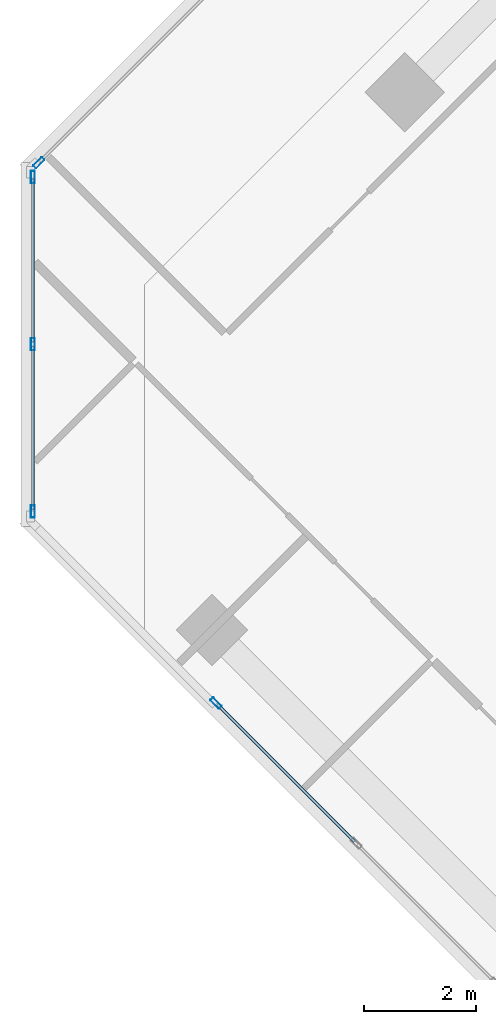
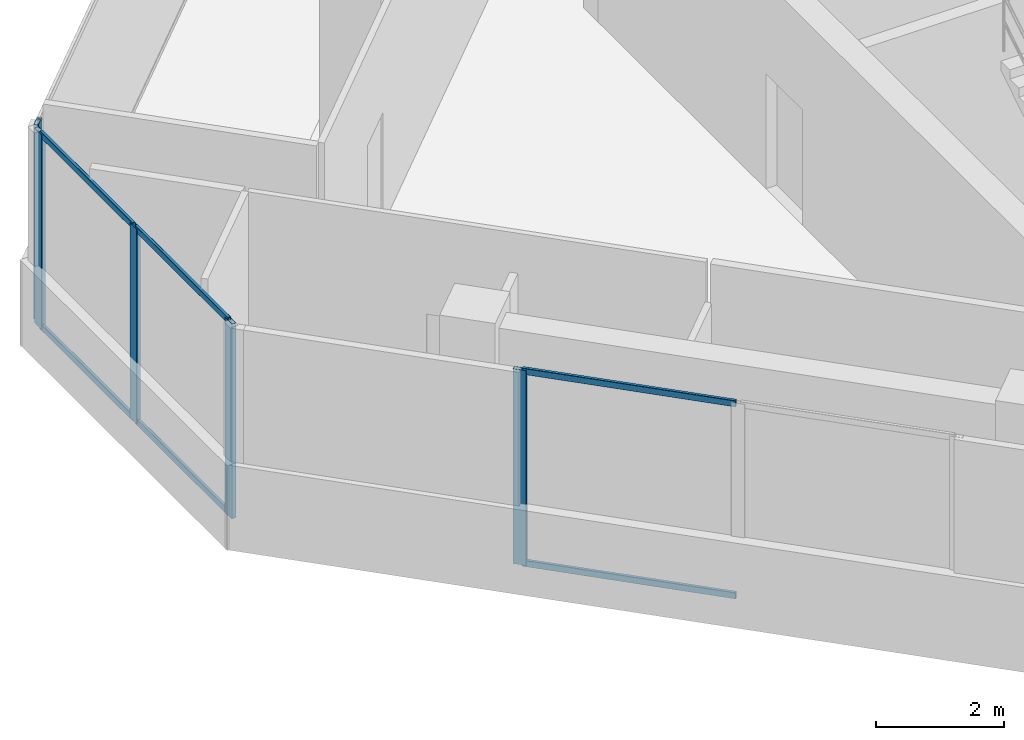
# One storey, part 4 of 18: 11 members, 3 elements without a shape of their own.
"""IFC4 building model written with IfcOpenShell, lengths in metres."""

from ifc_helpers import new_model, si_unit, direction, frame, origin, origin_2d, place, context, subcontext, project, spatial, hollow_rectangle, extrude, source, transform, mapped, material, material_profile, profile_set, type_object, element, aggregate, save


model = new_model("IFC4")

# Units and contexts
model_context = context("Model", 3, precision=1e-05, world=origin(), true_north=direction((0.0, 1.0)))
body_context = subcontext(model_context, "Body", "Model", "MODEL_VIEW")
ifc_project = project(units=[si_unit("LENGTHUNIT", "METRE"), si_unit("AREAUNIT", "SQUARE_METRE"), si_unit("VOLUMEUNIT", "CUBIC_METRE"), si_unit("PLANEANGLEUNIT", "RADIAN"), si_unit("MASSUNIT", "GRAM", prefix="KILO")], contexts=[model_context])

# Site, building, storey
site_placement = place(None, origin())
site = spatial("IfcSite", under=ifc_project, at=site_placement, CompositionType="ELEMENT")
building_placement = place(site_placement, origin())
building = spatial("IfcBuilding", under=site, at=building_placement, Name="Torre Montelarca", CompositionType="ELEMENT")
storey_placement = place(building_placement, frame((0.0, 0.0, 245.800048828125)))
storey = spatial("IfcBuildingStorey", under=building, at=storey_placement, Name="L55", CompositionType="ELEMENT", Elevation=245.800048828125)

# Curtain wall, members
ifc_material_1 = material(Name="Insulated low-E laminated glass", Category="glass")
curtain_wall_type = type_object("IfcCurtainWallType", Name="CW-SYS-Z3", PredefinedType="USERDEFINED", material=ifc_material_1)
curtain_wall_1_placement = place(storey_placement, origin())
curtain_wall_1 = element("IfcCurtainWall", 1, at=curtain_wall_1_placement, inside=storey, type_object=curtain_wall_type, Name="L55 Curtain Wall Run CW-T3-L55-E11-B1", ObjectType="UNITISED GLAZING", PredefinedType="USERDEFINED")
ifc_material_2 = material(Name="Anodised aluminium AA 6063-T6", Category="aluminium")
ifc_material_profile_1 = material_profile(ifc_material_2, hollow_rectangle(XDim=0.054931640625, YDim=0.1201171875, WallThickness=0.00341796875, InnerFilletRadius=0.00341796875, OuterFilletRadius=0.007080078125, at=origin_2d()), Name="ALU55X120X3.5", Category="aluminium")
ifc_profile_set_1 = profile_set([ifc_material_profile_1], Name="Anodised aluminium AA 6063-T6")
member_type_1 = type_object("IfcMemberType", Name="CWT-ALU120", PredefinedType="USERDEFINED", material=ifc_profile_set_1)
shared_shape_1 = source(origin(), body_context, "Body", "SweptSolid", [
    extrude(hollow_rectangle(XDim=0.054931640625, YDim=0.1201171875, WallThickness=0.00341796875, InnerFilletRadius=0.00341796875, OuterFilletRadius=0.007080078125, at=origin_2d()), origin(), (0.0, 0.0, 1.0), 2.903564453125),
])
member_1_placement = place(storey_placement, frame((-2.694580078125, 33.730224609375, 0.02734375), z_axis=(0.0, -1.0, 0.0), x_axis=(1.0, 0.0, 0.0)))
member_1 = element("IfcMember", 2, at=member_1_placement, type_object=member_type_1, Name="CW transom 2.1", ObjectType="TRANSOM", PredefinedType="USERDEFINED", context=body_context, shape_type="MappedRepresentation", body=[
    mapped(shared_shape_1, transform((0.0, 0.0, 0.0), scale=1.0)),
])
member_2_placement = place(storey_placement, frame((-2.694580078125, 33.730224609375, 3.6923828125), z_axis=(0.0, -1.0, 0.0), x_axis=(1.0, 0.0, 0.0)))
member_2 = element("IfcMember", 3, at=member_2_placement, type_object=member_type_1, Name="CW transom 2.2", ObjectType="TRANSOM", PredefinedType="USERDEFINED", context=body_context, shape_type="MappedRepresentation", body=[
    mapped(shared_shape_1, transform((0.0, 0.0, 0.0), scale=1.0)),
])

# Curtain wall, member
curtain_wall_2_placement = place(storey_placement, origin())
curtain_wall_2 = element("IfcCurtainWall", 4, at=curtain_wall_2_placement, inside=storey, type_object=curtain_wall_type, Name="L55 Curtain Wall Run CW-T3-L55-E01-B1", ObjectType="UNITISED GLAZING", PredefinedType="USERDEFINED")
ifc_material_profile_2 = material_profile(ifc_material_2, hollow_rectangle(XDim=0.074951171875, YDim=0.219970703125, WallThickness=0.0048828125, InnerFilletRadius=0.0048828125, OuterFilletRadius=0.010009765625, at=origin_2d()), Name="ALU75X220X5", Category="aluminium")
ifc_profile_set_2 = profile_set([ifc_material_profile_2], Name="Anodised aluminium AA 6063-T6")
member_type_2 = type_object("IfcMemberType", Name="CWM-ALU220", PredefinedType="MULLION", material=ifc_profile_set_2)
shared_shape_2 = source(origin(), body_context, "Body", "SweptSolid", [
    extrude(hollow_rectangle(XDim=0.074951171875, YDim=0.219970703125, WallThickness=0.0048828125, InnerFilletRadius=0.0048828125, OuterFilletRadius=0.010009765625, at=origin_2d()), origin(), (0.0, 0.0, 1.0), 3.719970703125),
])
member_3_placement = place(storey_placement, frame((0.56787109375, 27.377197265625, 0.0), z_axis=(0.0, 0.0, 1.0), x_axis=(0.707106781187, 0.707106781187, 0.0)))
member_3 = element("IfcMember", 5, at=member_3_placement, type_object=member_type_2, Name="CW mullion 1", PredefinedType="MULLION", context=body_context, shape_type="MappedRepresentation", body=[
    mapped(shared_shape_2, transform((0.0, 0.0, 0.0), scale=1.0)),
])

curtain_wall_3_placement = place(storey_placement, origin())
curtain_wall_3 = element("IfcCurtainWall", 6, at=curtain_wall_3_placement, inside=storey, type_object=curtain_wall_type, Name="L55 Curtain Wall Run CW-T3-L55-E10-B1", ObjectType="UNITISED GLAZING", PredefinedType="USERDEFINED")
member_4_placement = place(storey_placement, frame((-2.5888671875, 37.001708984375, 0.0), z_axis=(0.0, 0.0, 1.0), x_axis=(0.707108775742, -0.707104786625, 0.0)))
member_4 = element("IfcMember", 7, at=member_4_placement, type_object=member_type_2, Name="CW mullion 3", PredefinedType="MULLION", context=body_context, shape_type="MappedRepresentation", body=[
    mapped(shared_shape_2, transform((0.0, 0.0, 0.0), scale=1.0)),
])
aggregate(curtain_wall_3, [member_4])

# Member
member_5_placement = place(storey_placement, frame((-2.694580078125, 36.746337890625, 0.0), z_axis=(0.0, 0.0, 1.0), x_axis=(1.0, 0.0, 0.0)))
member_5 = element("IfcMember", 8, at=member_5_placement, type_object=member_type_2, Name="CW mullion 1", PredefinedType="MULLION", context=body_context, shape_type="MappedRepresentation", body=[
    mapped(shared_shape_2, transform((0.0, 0.0, 0.0), scale=1.0)),
])

member_6_placement = place(storey_placement, frame((-2.694580078125, 33.767822265625, 0.0), z_axis=(0.0, 0.0, 1.0), x_axis=(1.0, 0.0, 0.0)))
member_6 = element("IfcMember", 9, at=member_6_placement, type_object=member_type_2, Name="CW mullion 2", PredefinedType="MULLION", context=body_context, shape_type="MappedRepresentation", body=[
    mapped(shared_shape_2, transform((0.0, 0.0, 0.0), scale=1.0)),
])

member_7_placement = place(storey_placement, frame((-2.694580078125, 30.7890625, 0.0), z_axis=(0.0, 0.0, 1.0), x_axis=(1.0, 0.0, 0.0)))
member_7 = element("IfcMember", 10, at=member_7_placement, type_object=member_type_2, Name="CW mullion 3", PredefinedType="MULLION", context=body_context, shape_type="MappedRepresentation", body=[
    mapped(shared_shape_2, transform((0.0, 0.0, 0.0), scale=1.0)),
])

shared_shape_3 = source(origin(), body_context, "Body", "SweptSolid", [
    extrude(hollow_rectangle(XDim=0.054931640625, YDim=0.1201171875, WallThickness=0.00341796875, InnerFilletRadius=0.00341796875, OuterFilletRadius=0.007080078125, at=origin_2d()), origin(), (0.0, 0.0, 1.0), 2.90380859375),
])
member_8_placement = place(storey_placement, frame((-2.694580078125, 36.708984375, 0.02734375), z_axis=(0.0, -1.0, 0.0), x_axis=(1.0, 0.0, 0.0)))
member_8 = element("IfcMember", 11, at=member_8_placement, type_object=member_type_1, Name="CW transom 1.1", ObjectType="TRANSOM", PredefinedType="USERDEFINED", context=body_context, shape_type="MappedRepresentation", body=[
    mapped(shared_shape_3, transform((0.0, 0.0, 0.0), scale=1.0)),
])

member_9_placement = place(storey_placement, frame((-2.694580078125, 36.708984375, 3.6923828125), z_axis=(0.0, -1.0, 0.0), x_axis=(1.0, 0.0, 0.0)))
member_9 = element("IfcMember", 12, at=member_9_placement, type_object=member_type_1, Name="CW transom 1.2", ObjectType="TRANSOM", PredefinedType="USERDEFINED", context=body_context, shape_type="MappedRepresentation", body=[
    mapped(shared_shape_3, transform((0.0, 0.0, 0.0), scale=1.0)),
])

aggregate(curtain_wall_1, [member_5, member_6, member_7, member_8, member_9, member_1, member_2])

shared_shape_4 = source(origin(), body_context, "Body", "SweptSolid", [
    extrude(hollow_rectangle(XDim=0.054931640625, YDim=0.1201171875, WallThickness=0.00341796875, InnerFilletRadius=0.00341796875, OuterFilletRadius=0.007080078125, at=origin_2d()), origin(), (0.0, 0.0, 1.0), 3.45751953125),
])
member_10_placement = place(storey_placement, frame((0.59423828125, 27.350830078125, 0.02734375), z_axis=(0.707106781187, -0.707106781187, 0.0), x_axis=(0.707106781187, 0.707106781187, 0.0)))
member_10 = element("IfcMember", 13, at=member_10_placement, type_object=member_type_1, Name="CW transom 1.1", ObjectType="TRANSOM", PredefinedType="USERDEFINED", context=body_context, shape_type="MappedRepresentation", body=[
    mapped(shared_shape_4, transform((0.0, 0.0, 0.0), scale=1.0)),
])

member_11_placement = place(storey_placement, frame((0.59423828125, 27.350830078125, 3.6923828125), z_axis=(0.707106781187, -0.707106781187, 0.0), x_axis=(0.707106781187, 0.707106781187, 0.0)))
member_11 = element("IfcMember", 14, at=member_11_placement, type_object=member_type_1, Name="CW transom 1.2", ObjectType="TRANSOM", PredefinedType="USERDEFINED", context=body_context, shape_type="MappedRepresentation", body=[
    mapped(shared_shape_4, transform((0.0, 0.0, 0.0), scale=1.0)),
])

aggregate(curtain_wall_2, [member_3, member_10, member_11])

save(model, "model.ifc")
